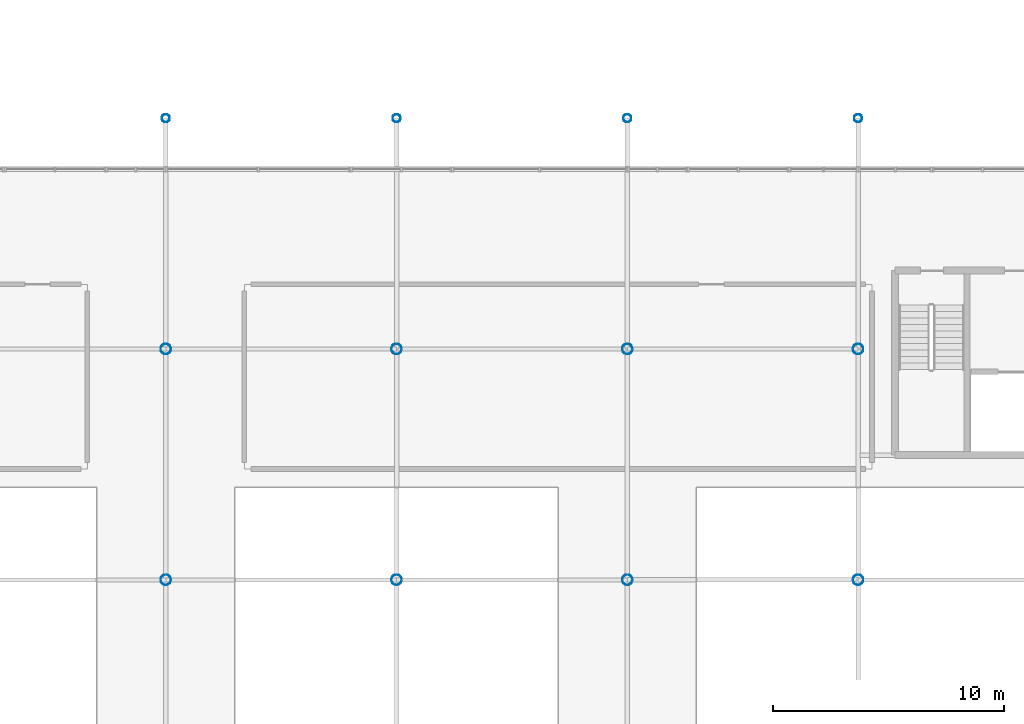
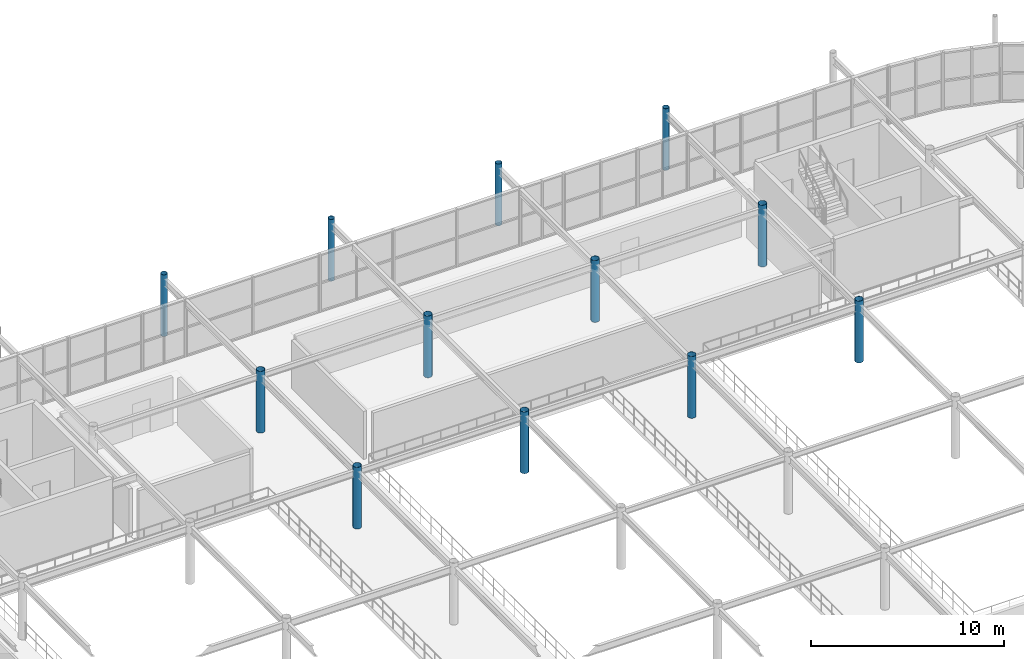
# One storey, part 13 of 98: 12 columns.
"""IFC4 building model written with IfcOpenShell, lengths in metres."""

from ifc_helpers import new_model, si_unit, derived_unit, direction, frame, origin, origin_2d_with_axis, place, context, subcontext, project, spatial, hollow_circle, extrude, material, material_profile, profile_set, type_object, element, save


model = new_model("IFC4")

# Units and contexts
model_context = context("Model", 3, precision=1e-05, world=origin(), true_north=direction((0.0, 1.0)))
body_context = subcontext(model_context, "Body", "Model", "MODEL_VIEW")
ifc_project = project(units=[si_unit("LENGTHUNIT", "METRE"), si_unit("AREAUNIT", "SQUARE_METRE"), si_unit("VOLUMEUNIT", "CUBIC_METRE"), si_unit("PLANEANGLEUNIT", "RADIAN"), si_unit("MASSUNIT", "GRAM", prefix="KILO"), derived_unit("THERMALTRANSMITTANCEUNIT", [(si_unit("POWERUNIT", "WATT"), 1), (si_unit("LENGTHUNIT", "METRE"), -2), (si_unit("THERMODYNAMICTEMPERATUREUNIT", "KELVIN"), -1)])], contexts=[model_context])

# Site, building, storey
site_placement = place(None, origin())
site = spatial("IfcSite", under=ifc_project, at=site_placement, CompositionType="ELEMENT")
building_placement = place(site_placement, origin())
building = spatial("IfcBuilding", under=site, at=building_placement, Name="Cinnabar Yard Market Hall", CompositionType="ELEMENT")
storey_placement = place(building_placement, frame((0.0, 0.0, 4.5)))
storey = spatial("IfcBuildingStorey", under=building, at=storey_placement, Name="L01", CompositionType="ELEMENT", Elevation=4.5)

# Columns
ifc_material = material(Name="Spotted-gum glulam-clad steel Grade 350 (350 MPa)", Category="steel")
ifc_material_profile_1 = material_profile(ifc_material, hollow_circle(Radius=0.228515625, WallThickness=0.0126953125, at=origin_2d_with_axis()), Name="457.0x12.7CHS")
ifc_profile_set_1 = profile_set([ifc_material_profile_1], Name="Spotted-gum glulam-clad steel Grade 350 (350 MPa)")
column_type_1 = type_object("IfcColumnType", Name="COL-C01", PredefinedType="COLUMN", material=ifc_profile_set_1)
for number, where, z_axis, x_axis, name in (
    (1, (106.0, 54.0, 0.0), (0.0, 0.0, 1.0), (1.0, 0.0, 0.0), "Tree Column V1I-04-04 L01"),
    (2, (106.0, 64.0, 0.0), (0.0, 0.0, 1.0), (1.0, 0.0, 0.0), "Tree Column V1I-04-05 L01"),
    (3, (116.0, 54.0, 0.0), (0.0, 0.0, 1.0), (1.0, 0.0, 0.0), "Tree Column V1I-05-04 L01"),
    (4, (116.0, 64.0, 0.0), (0.0, 0.0, 1.0), (1.0, 0.0, 0.0), "Tree Column V1I-05-05 L01"),
    (5, (126.0, 54.0, 0.0), (0.0, 0.0, 1.0), (1.0, 0.0, 0.0), "Tree Column V1I-06-04 L01"),
    (6, (126.0, 64.0, 0.0), (0.0, 0.0, 1.0), (1.0, 0.0, 0.0), "Tree Column V1I-06-05 L01"),
    (7, (136.0, 54.0, 0.0), (0.0, 0.0, 1.0), (1.0, 0.0, 0.0), "Tree Column V1I-07-04 L01"),
    (8, (136.0, 64.0, 0.0), (0.0, 0.0, 1.0), (1.0, 0.0, 0.0), "Tree Column V1I-07-05 L01"),
):
    element("IfcColumn", number, at=place(storey_placement, frame(where, z_axis=z_axis, x_axis=x_axis)), inside=storey, type_object=column_type_1, Name=name, PredefinedType="COLUMN", context=body_context, shape_type="SweptSolid", body=[
        extrude(hollow_circle(Radius=0.228515625, WallThickness=0.0126953125, at=origin_2d_with_axis()), origin(), (0.0, 0.0, 1.0), 3.89990234375),
    ])
ifc_material_profile_2 = material_profile(ifc_material, hollow_circle(Radius=0.177734375, WallThickness=0.0126953125, at=origin_2d_with_axis()), Name="355.6x12.7CHS")
ifc_profile_set_2 = profile_set([ifc_material_profile_2], Name="Spotted-gum glulam-clad steel Grade 350 (350 MPa)")
column_type_2 = type_object("IfcColumnType", Name="COL-C02E", PredefinedType="COLUMN", material=ifc_profile_set_2)
for number, where, z_axis, x_axis, name in (
    (9, (106.0, 74.0, 0.0), (0.0, 0.0, 1.0), (1.0, 0.0, 0.0), "Tree Column V1N-03 L01"),
    (10, (116.0, 74.0, 0.0), (0.0, 0.0, 1.0), (1.0, 0.0, 0.0), "Tree Column V1N-04 L01"),
    (11, (126.0, 74.0, 0.0), (0.0, 0.0, 1.0), (1.0, 0.0, 0.0), "Tree Column V1N-05 L01"),
    (12, (136.0, 74.0, 0.0), (0.0, 0.0, 1.0), (1.0, 0.0, 0.0), "Tree Column V1N-06 L01"),
):
    element("IfcColumn", number, at=place(storey_placement, frame(where, z_axis=z_axis, x_axis=x_axis)), inside=storey, type_object=column_type_2, Name=name, PredefinedType="COLUMN", context=body_context, shape_type="SweptSolid", body=[
        extrude(hollow_circle(Radius=0.177734375, WallThickness=0.0126953125, at=origin_2d_with_axis()), origin(), (0.0, 0.0, 1.0), 3.89990234375),
    ])

save(model, "model.ifc")
